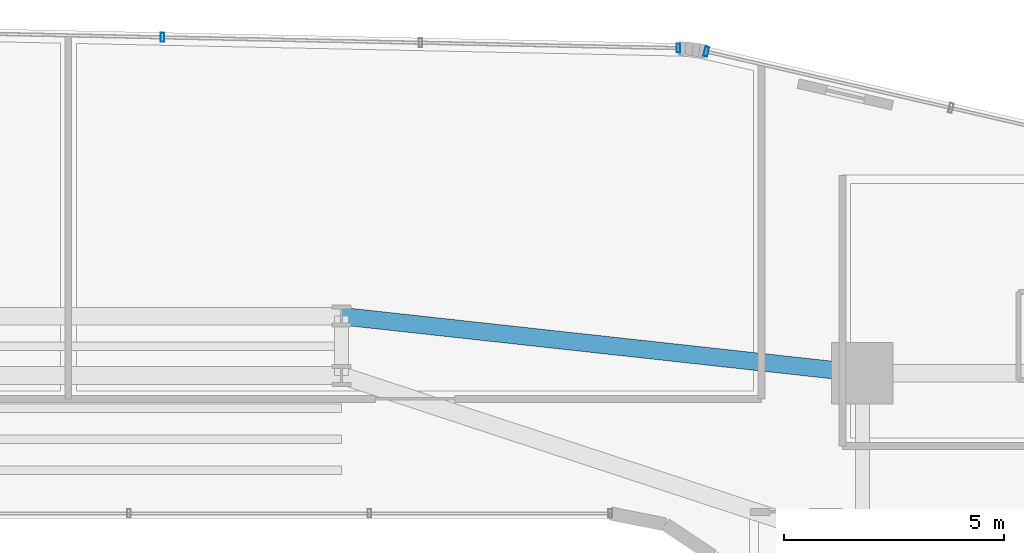
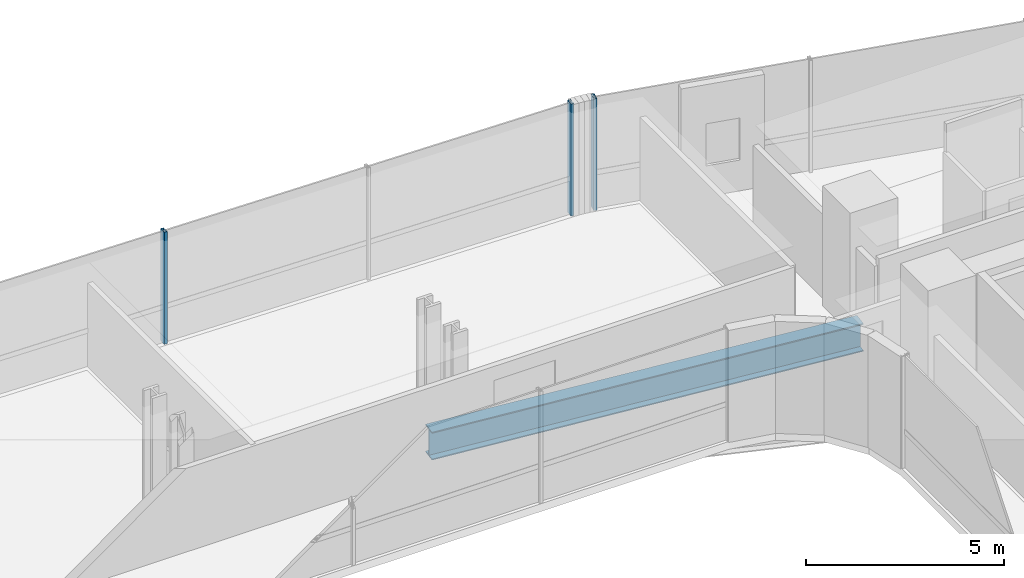
# One storey, part 22 of 41: 3 members, 1 beam, 2 elements without a shape of their own.
"""IFC4 building model written with IfcOpenShell, lengths in metres."""

import ifcopenshell
import ifcopenshell.guid

model = None  # the IFC model being written
_history = None  # IfcOwnerHistory: only IFC2X3 demands one
_inside = {}  # id of a spatial element -> (the spatial element, [elements in it])
_under = {}  # id of a project, library or spatial element -> (it, [spatial elements below it])
_declared = {}  # id of a project -> (the project, [libraries it declares])
_typed = {}  # id of a type object -> (the type object, [elements of that type])
_made_of = {}  # id of a material, layer set ... -> (it, [elements and type objects made of it])


def new_model(schema):
    """Start an empty IFC model of exactly this schema.

    Asked for "IFC4X3", IfcOpenShell would pick the latest addendum, in which some entities
    have other attributes; the version numbers below select the first issue.
    IFC2X3 requires an IfcOwnerHistory on every rooted entity: one is made here for all.
    """
    global model, _history
    if schema == "IFC4X3":
        model = ifcopenshell.file(schema_version=(4, 3, 0, 0))
    else:
        model = ifcopenshell.file(schema=schema)
    _inside.clear()
    _under.clear()
    _declared.clear()
    _typed.clear()
    _made_of.clear()
    _history = None
    if model.schema == "IFC2X3":
        org = make("IfcOrganization", Name="unknown")
        user = make(
            "IfcPersonAndOrganization",
            ThePerson=make("IfcPerson", FamilyName="unknown"),
            TheOrganization=org,
        )
        app = make(
            "IfcApplication",
            ApplicationDeveloper=org,
            Version="unknown",
            ApplicationFullName="unknown",
            ApplicationIdentifier="unknown",
        )
        _history = make(
            "IfcOwnerHistory",
            OwningUser=user,
            OwningApplication=app,
            ChangeAction="ADDED",
            CreationDate=0,
        )
    return model


def make(cls, **values):
    """One entity of the class cls with the attributes given. An attribute that is None is left unset."""
    return model.create_entity(
        cls, **{name: value for name, value in values.items() if value is not None}
    )


def rooted(cls, **values):
    """An entity with a GlobalId (a new one), such as an element, a storey or a relation."""
    return make(cls, GlobalId=ifcopenshell.guid.new(), OwnerHistory=_history, **values)


def si_unit(unit_type, name, prefix=None):
    """IfcSIUnit, for example si_unit("LENGTHUNIT", "METRE", prefix="MILLI")."""
    return make("IfcSIUnit", UnitType=unit_type, Prefix=prefix, Name=name)


def assignment(units):
    """IfcUnitAssignment: the units of a project."""
    return None if units is None else make("IfcUnitAssignment", Units=units)


def point(xyz):
    """IfcCartesianPoint."""
    return None if xyz is None else make("IfcCartesianPoint", Coordinates=xyz)


def direction(xyz):
    """IfcDirection."""
    return None if xyz is None else make("IfcDirection", DirectionRatios=xyz)


def frame(location, z_axis=None, x_axis=None):
    """IfcAxis2Placement3D, a coordinate frame: its origin and axes. An axis left out is left unset."""
    return make(
        "IfcAxis2Placement3D",
        Location=point(location),
        Axis=direction(z_axis),
        RefDirection=direction(x_axis),
    )


def frame_2d(location, x_axis=None):
    """IfcAxis2Placement2D, a coordinate frame in the plane: its origin and x axis."""
    return make(
        "IfcAxis2Placement2D", Location=point(location), RefDirection=direction(x_axis)
    )


def origin():
    """The frame at (0, 0, 0) with its axes left unset."""
    return frame((0.0, 0.0, 0.0))


def origin_2d():
    """The frame at (0, 0) in the plane with its x axis left unset."""
    return frame_2d((0.0, 0.0))


def place(relative_to, where):
    """IfcLocalPlacement: puts the frame where relative to a parent placement (None: the world)."""
    return make(
        "IfcLocalPlacement", PlacementRelTo=relative_to, RelativePlacement=where
    )


def context(
    kind, dimensions, precision=None, world=None, true_north=None, identifier=None
):
    """IfcGeometricRepresentationContext, for example the 3D "Model" context."""
    return make(
        "IfcGeometricRepresentationContext",
        ContextIdentifier=identifier,
        ContextType=kind,
        CoordinateSpaceDimension=dimensions,
        Precision=precision,
        WorldCoordinateSystem=world,
        TrueNorth=true_north,
    )


def subcontext(parent, identifier, kind, view, scale=None):
    """IfcGeometricRepresentationSubContext, for example "Body" below "Model"."""
    return make(
        "IfcGeometricRepresentationSubContext",
        ContextIdentifier=identifier,
        ContextType=kind,
        ParentContext=parent,
        TargetScale=scale,
        TargetView=view,
    )


def project(units=None, contexts=None):
    """IfcProject with its units and contexts."""
    return rooted(
        "IfcProject",
        Name="project",
        RepresentationContexts=contexts,
        UnitsInContext=assignment(units),
    )


def spatial(cls, under=None, at=None, **own):
    """A site, building, storey or space (cls), placed at a placement, below another one or the project."""
    s = rooted(cls, ObjectPlacement=at, **own)
    if under is not None:
        _under.setdefault(under.id(), (under, []))[1].append(s)
    return s


def profile(cls, at=None, kind="AREA", **sizes):
    """A parametric profile (cls). Its sizes go by their IFC names, for example OverallWidth=200.0."""
    return make(cls, ProfileType=kind, Position=at, **sizes)


def hollow_rectangle(**sizes):
    """IfcRectangleHollowProfileDef."""
    return profile("IfcRectangleHollowProfileDef", **sizes)


def i_section(**sizes):
    """IfcIShapeProfileDef."""
    return profile("IfcIShapeProfileDef", **sizes)


def extrude(swept, where, along, depth):
    """IfcExtrudedAreaSolid: the profile swept, set in the frame where, extruded along a direction by depth."""
    return make(
        "IfcExtrudedAreaSolid",
        SweptArea=swept,
        Position=where,
        ExtrudedDirection=direction(along),
        Depth=depth,
    )


def shape(context_of_items, identifier, shape_type, items):
    """IfcShapeRepresentation: the items that make up one representation, for example the "Body"."""
    return make(
        "IfcShapeRepresentation",
        ContextOfItems=context_of_items,
        RepresentationIdentifier=identifier,
        RepresentationType=shape_type,
        Items=items,
    )


def source(mapping_origin, context_of_items, identifier, shape_type, items):
    """IfcRepresentationMap: a shape defined once, which mapped items show again and again."""
    return make(
        "IfcRepresentationMap",
        MappingOrigin=mapping_origin,
        MappedRepresentation=shape(context_of_items, identifier, shape_type, items),
    )


def transform(
    local_origin,
    x_axis=None,
    y_axis=None,
    z_axis=None,
    scale=None,
    scale2=None,
    scale3=None,
    uniform=True,
):
    """IfcCartesianTransformationOperator3D, or its non-uniform kind. x_axis, y_axis, z_axis: its Axis1, 2, 3."""
    if uniform:
        return make(
            "IfcCartesianTransformationOperator3D",
            Axis1=direction(x_axis),
            Axis2=direction(y_axis),
            LocalOrigin=point(local_origin),
            Scale=scale,
            Axis3=direction(z_axis),
        )
    return make(
        "IfcCartesianTransformationOperator3DnonUniform",
        Axis1=direction(x_axis),
        Axis2=direction(y_axis),
        LocalOrigin=point(local_origin),
        Scale=scale,
        Axis3=direction(z_axis),
        Scale2=scale2,
        Scale3=scale3,
    )


def mapped(mapping_source, mapping_target):
    """IfcMappedItem: shows the shape of a source again, moved by a transform."""
    return make(
        "IfcMappedItem", MappingSource=mapping_source, MappingTarget=mapping_target
    )


def material(Name=None, Category=None):
    """IfcMaterial."""
    return make("IfcMaterial", Name=Name, Category=Category)


def material_profile(
    of_material, cross_section, Name=None, Category=None, Priority=None
):
    """IfcMaterialProfile: a cross section and its material."""
    return make(
        "IfcMaterialProfile",
        Name=Name,
        Material=of_material,
        Profile=cross_section,
        Priority=Priority,
        Category=Category,
    )


def profile_set(profiles, Name=None, composite=None):
    """IfcMaterialProfileSet."""
    return make(
        "IfcMaterialProfileSet",
        Name=Name,
        MaterialProfiles=profiles,
        CompositeProfile=composite,
    )


def made_of(thing, what):
    """Note that an element or type object is made of a material, layer set ...; save() writes the relation."""
    if what is not None:
        _made_of.setdefault(what.id(), (what, []))[1].append(thing)
    return thing


def type_object(cls, material=None, **own):
    """A type object (cls), such as IfcWallType, which elements share."""
    return made_of(rooted(cls, **own), material)


def element(
    cls,
    number,
    at=None,
    inside=None,
    cuts=None,
    type_object=None,
    material=None,
    context=None,
    identifier="Body",
    shape_type=None,
    held_by="IfcProductDefinitionShape",
    body=None,
    shapes=None,
    **own,
):
    """One element of the class cls, such as IfcWall. Its Tag is "e" and its number.

    at: its placement. inside: the storey or other place that contains it. cuts: it is an
    opening in that element (IfcRelVoidsElement). A single representation is given by context,
    identifier, shape_type and body (its items); several are given by shapes. held_by: the class
    of the entity that holds the representations. save() writes the other relations.
    """
    e = rooted(cls, Tag="e%d" % number, ObjectPlacement=at, **own)
    if body is not None:
        shapes = [shape(context, identifier, shape_type, body)]
    if shapes is not None:
        e.Representation = make(held_by, Representations=shapes)
    if inside is not None:
        _inside.setdefault(inside.id(), (inside, []))[1].append(e)
    if cuts is not None:
        rooted(
            "IfcRelVoidsElement", RelatingBuildingElement=cuts, RelatedOpeningElement=e
        )
    if type_object is not None:
        _typed.setdefault(type_object.id(), (type_object, []))[1].append(e)
    return made_of(e, material)


def aggregate(whole, parts):
    """IfcRelAggregates: a whole, such as a stair, and the parts it consists of."""
    return rooted("IfcRelAggregates", RelatingObject=whole, RelatedObjects=parts)


def save(model, path):
    """Write the relations noted so far, then the file.

    IfcRelAggregates (storeys below a building ...), IfcRelContainedInSpatialStructure (elements
    in a storey), IfcRelDefinesByType, IfcRelAssociatesMaterial and IfcRelDeclares: one each for
    every whole, place, type object, material and project.
    """
    for whole, parts in _under.values():
        aggregate(whole, parts)
    for where, things in _inside.values():
        rooted(
            "IfcRelContainedInSpatialStructure",
            RelatedElements=things,
            RelatingStructure=where,
        )
    for kind, things in _typed.values():
        rooted("IfcRelDefinesByType", RelatedObjects=things, RelatingType=kind)
    for what, things in _made_of.values():
        rooted("IfcRelAssociatesMaterial", RelatedObjects=things, RelatingMaterial=what)
    for by, libraries in _declared.values():
        rooted("IfcRelDeclares", RelatingContext=by, RelatedDefinitions=libraries)
    model.write(path)


model = new_model("IFC4")

# Units and contexts
model_context = context("Model", 3, precision=1e-05, world=origin(), true_north=direction((0.0, 1.0)))
body_context = subcontext(model_context, "Body", "Model", "MODEL_VIEW")
ifc_project = project(units=[si_unit("LENGTHUNIT", "METRE"), si_unit("AREAUNIT", "SQUARE_METRE"), si_unit("VOLUMEUNIT", "CUBIC_METRE"), si_unit("PLANEANGLEUNIT", "RADIAN"), si_unit("MASSUNIT", "GRAM", prefix="KILO")], contexts=[model_context])

# Site, building, storey
site_placement = place(None, origin())
site = spatial("IfcSite", under=ifc_project, at=site_placement, CompositionType="ELEMENT")
building_placement = place(site_placement, origin())
building = spatial("IfcBuilding", under=site, at=building_placement, Name="Valdorenza Pilgrim Sanctuary Tower", CompositionType="ELEMENT")
storey_placement = place(building_placement, frame((0.0, 0.0, 63.0)))
storey = spatial("IfcBuildingStorey", under=building, at=storey_placement, Name="L15", CompositionType="ELEMENT", Elevation=63.0)

# Beam
ifc_material_1 = material(Name="Steel ASTM A992 Grade 50", Category="steel")
ifc_material_profile_1 = material_profile(ifc_material_1, i_section(OverallWidth=0.39990234375, OverallDepth=0.862060546875, WebThickness=0.019775390625, FlangeThickness=0.032470703125, at=origin_2d()), Name="W33X221")
ifc_profile_set_1 = profile_set([ifc_material_profile_1], Name="Steel ASTM A992 Grade 50")
beam_type = type_object("IfcBeamType", Name="STR-BM-GRD-W33", PredefinedType="BEAM", material=ifc_profile_set_1)
shared_shape_1 = source(origin(), body_context, "Body", "SweptSolid", [
    extrude(i_section(OverallWidth=0.39990234375, OverallDepth=0.862060546875, WebThickness=0.019775390625, FlangeThickness=0.032470703125, at=origin_2d()), origin(), (0.0, 0.0, 1.0), 11.921142578125),
])
beam_placement = place(storey_placement, frame((4.0, 14.800048828125, -0.6708984375), z_axis=(0.994035876607, -0.10905354656, 0.0), x_axis=(0.10905354656, 0.994035876607, 0.0)))
element("IfcBeam", 1, at=beam_placement, inside=storey, type_object=beam_type, Name="L15 Floor Girder KNK-G6", PredefinedType="BEAM", context=body_context, shape_type="MappedRepresentation", body=[
    mapped(shared_shape_1, transform((0.0, 0.0, 0.0), x_axis=(1.0, 0.0, 0.0), y_axis=(0.0, 1.0, 0.0), z_axis=(0.0, 0.0, 1.0), scale=1.0)),
])

# Curtain wall, members
ifc_material_2 = material(Name="Curtain-wall IGU glazing", Category="glass")
curtain_wall_type_1 = type_object("IfcCurtainWallType", Name="CW-SYS-02", PredefinedType="NOTDEFINED", material=ifc_material_2)
curtain_wall_1_placement = place(storey_placement, origin())
curtain_wall_1 = element("IfcCurtainWall", 2, at=curtain_wall_1_placement, inside=storey, type_object=curtain_wall_type_1, Name="L15 Curtain Wall CW-L15-1-11", PredefinedType="NOTDEFINED")
ifc_material_3 = material(Name="Anodised aluminium AW-6060", Category="aluminium")
ifc_material_profile_2 = material_profile(ifc_material_3, hollow_rectangle(XDim=0.0849609375, YDim=0.199951171875, WallThickness=0.0048828125, at=origin_2d()), Name="ALU-M 200x85x5")
ifc_profile_set_2 = profile_set([ifc_material_profile_2], Name="Anodised aluminium AW-6060")
member_type_1 = type_object("IfcMemberType", Name="CW-MUL-02", PredefinedType="MULLION", material=ifc_profile_set_2)
shared_shape_2 = source(origin(), body_context, "Body", "SweptSolid", [
    extrude(hollow_rectangle(XDim=0.0849609375, YDim=0.199951171875, WallThickness=0.0048828125, at=origin_2d()), origin(), (0.0, 0.0, 1.0), 3.4599609375),
])
member_1_placement = place(storey_placement, frame((-0.0712890625, 21.1416015625, 0.0), z_axis=(0.0, 0.0, 1.0), x_axis=(0.999783234613, -0.020820273474, 0.0)))
member_1 = element("IfcMember", 3, at=member_1_placement, type_object=member_type_1, Name="CW-L15-1-11 Mullion 3", PredefinedType="MULLION", context=body_context, shape_type="MappedRepresentation", body=[
    mapped(shared_shape_2, transform((0.0, 0.0, 0.0), x_axis=(1.0, 0.0, 0.0), y_axis=(0.0, 1.0, 0.0), z_axis=(0.0, 0.0, 1.0), scale=1.0)),
])
member_2_placement = place(storey_placement, frame((11.665771484375, 20.89697265625, 0.0), z_axis=(0.0, 0.0, 1.0), x_axis=(0.999783234613, -0.020820273474, 0.0)))
member_2 = element("IfcMember", 4, at=member_2_placement, type_object=member_type_1, Name="CW-L15-1-11 Mullion 5", PredefinedType="MULLION", context=body_context, shape_type="MappedRepresentation", body=[
    mapped(shared_shape_2, transform((0.0, 0.0, 0.0), x_axis=(1.0, 0.0, 0.0), y_axis=(0.0, 1.0, 0.0), z_axis=(0.0, 0.0, 1.0), scale=1.0)),
])
aggregate(curtain_wall_1, [member_1, member_2])

# Curtain wall, member
curtain_wall_type_2 = type_object("IfcCurtainWallType", Name="CW-SYS-03", PredefinedType="NOTDEFINED", material=ifc_material_2)
curtain_wall_2_placement = place(storey_placement, origin())
curtain_wall_2 = element("IfcCurtainWall", 5, at=curtain_wall_2_placement, inside=storey, type_object=curtain_wall_type_2, Name="L15 Curtain Wall CW-L15-1-16", PredefinedType="NOTDEFINED")
ifc_material_profile_3 = material_profile(ifc_material_3, hollow_rectangle(XDim=0.0849609375, YDim=0.219970703125, WallThickness=0.0048828125, at=origin_2d()), Name="ALU-M 220x85x5")
ifc_profile_set_3 = profile_set([ifc_material_profile_3], Name="Anodised aluminium AW-6060")
member_type_2 = type_object("IfcMemberType", Name="CW-MUL-03", PredefinedType="MULLION", material=ifc_profile_set_3)
shared_shape_3 = source(origin(), body_context, "Body", "SweptSolid", [
    extrude(hollow_rectangle(XDim=0.0849609375, YDim=0.219970703125, WallThickness=0.0048828125, at=origin_2d()), origin(), (0.0, 0.0, 1.0), 3.4599609375),
])
member_3_placement = place(storey_placement, frame((12.299072265625, 20.818115234375, 0.0), z_axis=(0.0, 0.0, 1.0), x_axis=(0.974389691758, -0.224866023659, 0.0)))
member_3 = element("IfcMember", 6, at=member_3_placement, type_object=member_type_2, Name="CW-L15-1-16 Mullion 1", PredefinedType="MULLION", context=body_context, shape_type="MappedRepresentation", body=[
    mapped(shared_shape_3, transform((0.0, 0.0, 0.0), x_axis=(1.0, 0.0, 0.0), y_axis=(0.0, 1.0, 0.0), z_axis=(0.0, 0.0, 1.0), scale=1.0)),
])
aggregate(curtain_wall_2, [member_3])

save(model, "model.ifc")
